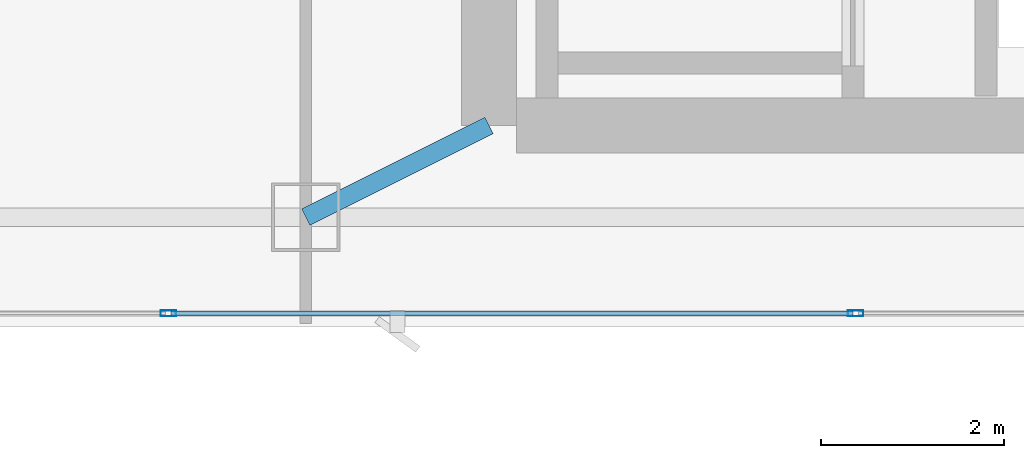
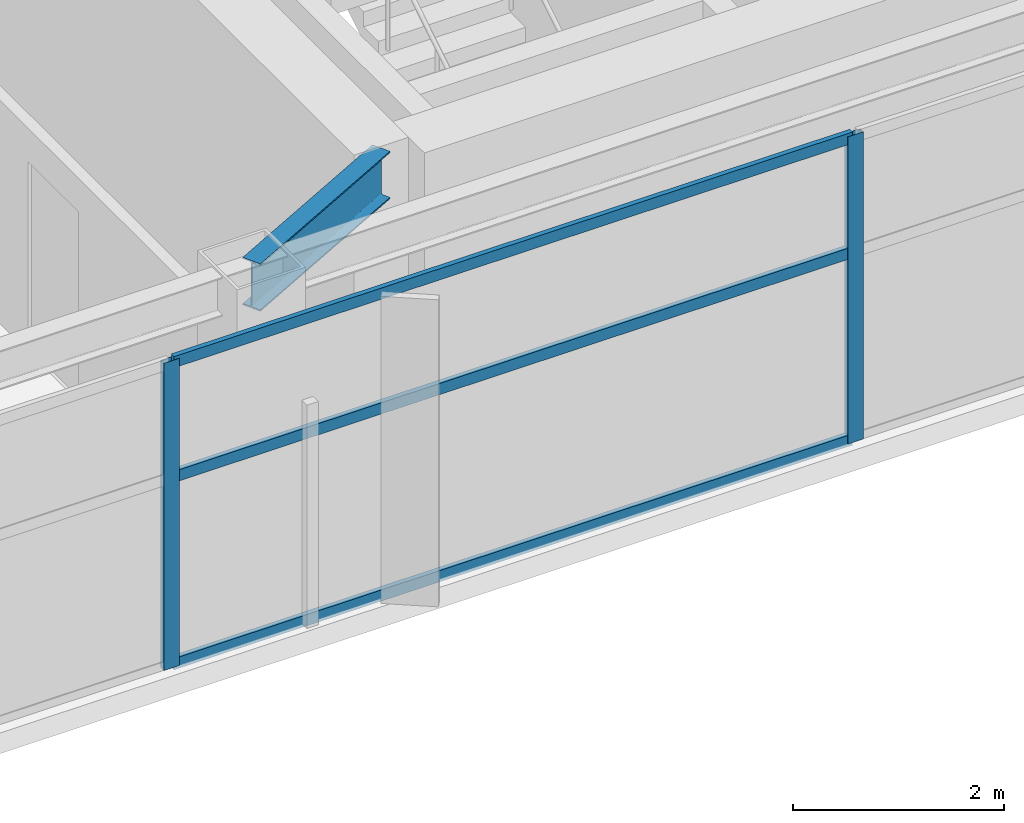
# One storey, part 7 of 28: 5 members, 1 beam, 1 element without a shape of its own.
"""IFC4 building model written with IfcOpenShell, lengths in metres."""

from ifc_helpers import new_model, si_unit, direction, frame, origin, origin_2d, place, context, subcontext, project, spatial, hollow_rectangle, i_section, extrude, material, layer, layer_set, material_profile, profile_set, type_object, element, aggregate, save


model = new_model("IFC4")

# Units and contexts
model_context = context("Model", 3, precision=1e-05, world=origin(), true_north=direction((0.0, 1.0)))
body_context = subcontext(model_context, "Body", "Model", "MODEL_VIEW")
ifc_project = project(units=[si_unit("LENGTHUNIT", "METRE"), si_unit("AREAUNIT", "SQUARE_METRE"), si_unit("VOLUMEUNIT", "CUBIC_METRE"), si_unit("PLANEANGLEUNIT", "RADIAN"), si_unit("MASSUNIT", "GRAM", prefix="KILO")], contexts=[model_context])

# Site, building, storey
site_placement = place(None, origin())
site = spatial("IfcSite", under=ifc_project, at=site_placement, CompositionType="ELEMENT")
building_placement = place(site_placement, origin())
building = spatial("IfcBuilding", under=site, at=building_placement, Name="Calvorn Quay Hotel", CompositionType="ELEMENT")
storey_placement = place(building_placement, frame((0.0, 0.0, 267.300048828125)))
storey = spatial("IfcBuildingStorey", under=building, at=storey_placement, Name="L66", CompositionType="ELEMENT", Elevation=267.300048828125)

# Beam
ifc_material_1 = material(Name="Steel Q355B", Category="steel")
ifc_material_profile_1 = material_profile(ifc_material_1, i_section(OverallWidth=0.199951171875, OverallDepth=0.550048828125, WebThickness=0.010009765625, FlangeThickness=0.01611328125, FilletRadius=0.01806640625, at=origin_2d()), Name="HN550x200x10x16")
ifc_profile_set_1 = profile_set([ifc_material_profile_1], Name="Steel Q355B")
beam_type = type_object("IfcBeamType", Name="BM-GIRD-UPP", PredefinedType="BEAM", material=ifc_profile_set_1)
beam_placement = place(storey_placement, frame((19.60009765625, 3.60009765625, 3.264892578125), z_axis=(0.894427191, 0.4472135955, 0.0), x_axis=(-0.4472135955, 0.894427191, 0.0)))
element("IfcBeam", 1, at=beam_placement, inside=storey, type_object=beam_type, Name="Beam BG-L66-S2", PredefinedType="BEAM", context=body_context, shape_type="SweptSolid", body=[
    extrude(i_section(OverallWidth=0.199951171875, OverallDepth=0.550048828125, WebThickness=0.010009765625, FlangeThickness=0.01611328125, FilletRadius=0.01806640625, at=origin_2d()), origin(), (0.0, 0.0, 1.0), 2.236083984375),
])

# Curtain wall, members
ifc_material_2 = material(Name="Champagne Bronze Anodised Aluminium and Low-E Glass", Category="aluminium")
ifc_layer = layer(ifc_material_2, 0.219970703125)
ifc_layer_set = layer_set([ifc_layer], Name="CW-SYS-Z4")
curtain_wall_type = type_object("IfcCurtainWallType", Name="CW-SYS-Z4", PredefinedType="NOTDEFINED", material=ifc_layer_set)
curtain_wall_placement = place(storey_placement, origin())
curtain_wall = element("IfcCurtainWall", 2, at=curtain_wall_placement, inside=storey, type_object=curtain_wall_type, Name="Tower South Waterfront Curtain Wall (L66)", PredefinedType="NOTDEFINED")
ifc_material_3 = material(Name="Champagne Bronze Anodised Aluminium 6063-T6", Category="aluminium")
ifc_material_profile_2 = material_profile(ifc_material_3, hollow_rectangle(XDim=0.06494140625, YDim=0.169921875, WallThickness=0.00341796875, at=origin_2d()), Name="ALU-M170x65x3.5")
ifc_profile_set_2 = profile_set([ifc_material_profile_2], Name="Champagne Bronze Anodised Aluminium 6063-T6")
member_type_1 = type_object("IfcMemberType", Name="CW-SYS-Z4-MUL", PredefinedType="MULLION", material=ifc_profile_set_2)
member_1_placement = place(storey_placement, frame((18.10009765625, 2.550048828125, 0.0), z_axis=(0.0, 0.0, 1.0), x_axis=(0.0, 1.0, 0.0)))
member_1 = element("IfcMember", 3, at=member_1_placement, type_object=member_type_1, Name="CW-L66-S mullion 2", PredefinedType="MULLION", context=body_context, shape_type="SweptSolid", body=[
    extrude(hollow_rectangle(XDim=0.06494140625, YDim=0.169921875, WallThickness=0.00341796875, at=origin_2d()), origin(), (0.0, 0.0, 1.0), 3.56005859375),
])
member_2_placement = place(storey_placement, frame((25.60009765625, 2.550048828125, 0.0), z_axis=(0.0, 0.0, 1.0), x_axis=(0.0, 1.0, 0.0)))
member_2 = element("IfcMember", 4, at=member_2_placement, type_object=member_type_1, Name="CW-L66-S mullion 3", PredefinedType="MULLION", context=body_context, shape_type="SweptSolid", body=[
    extrude(hollow_rectangle(XDim=0.06494140625, YDim=0.169921875, WallThickness=0.00341796875, at=origin_2d()), origin(), (0.0, 0.0, 1.0), 3.56005859375),
])
ifc_material_4 = material(Name="Champagne Bronze Anodised Aluminium 6063-T6", Category="aluminium")
ifc_material_profile_3 = material_profile(ifc_material_4, hollow_rectangle(XDim=0.054931640625, YDim=0.1298828125, WallThickness=0.003173828125, at=origin_2d()), Name="ALU-T130x55x3.2")
ifc_profile_set_3 = profile_set([ifc_material_profile_3], Name="Champagne Bronze Anodised Aluminium 6063-T6")
member_type_2 = type_object("IfcMemberType", Name="CW-SYS-Z4-TRN", PredefinedType="USERDEFINED", material=ifc_profile_set_3)
member_3_placement = place(storey_placement, frame((18.1298828125, 2.550048828125, 0.030029296875), z_axis=(1.0, 0.0, 0.0), x_axis=(0.0, 1.0, 0.0)))
member_3 = element("IfcMember", 5, at=member_3_placement, type_object=member_type_2, Name="CW-L66-S transom 2.1", ObjectType="TRANSOM", PredefinedType="USERDEFINED", context=body_context, shape_type="SweptSolid", body=[
    extrude(hollow_rectangle(XDim=0.054931640625, YDim=0.1298828125, WallThickness=0.003173828125, at=origin_2d()), origin(), (0.0, 0.0, 1.0), 7.440185546875),
])
member_4_placement = place(storey_placement, frame((18.1298828125, 2.550048828125, 2.199951171875), z_axis=(1.0, 0.0, 0.0), x_axis=(0.0, 1.0, 0.0)))
member_4 = element("IfcMember", 6, at=member_4_placement, type_object=member_type_2, Name="CW-L66-S transom 2.2", ObjectType="TRANSOM", PredefinedType="USERDEFINED", context=body_context, shape_type="SweptSolid", body=[
    extrude(hollow_rectangle(XDim=0.054931640625, YDim=0.1298828125, WallThickness=0.003173828125, at=origin_2d()), origin(), (0.0, 0.0, 1.0), 7.440185546875),
])
member_5_placement = place(storey_placement, frame((18.1298828125, 2.550048828125, 3.530029296875), z_axis=(1.0, 0.0, 0.0), x_axis=(0.0, 1.0, 0.0)))
member_5 = element("IfcMember", 7, at=member_5_placement, type_object=member_type_2, Name="CW-L66-S transom 2.3", ObjectType="TRANSOM", PredefinedType="USERDEFINED", context=body_context, shape_type="SweptSolid", body=[
    extrude(hollow_rectangle(XDim=0.054931640625, YDim=0.1298828125, WallThickness=0.003173828125, at=origin_2d()), origin(), (0.0, 0.0, 1.0), 7.440185546875),
])
aggregate(curtain_wall, [member_1, member_2, member_3, member_4, member_5])

save(model, "model.ifc")
